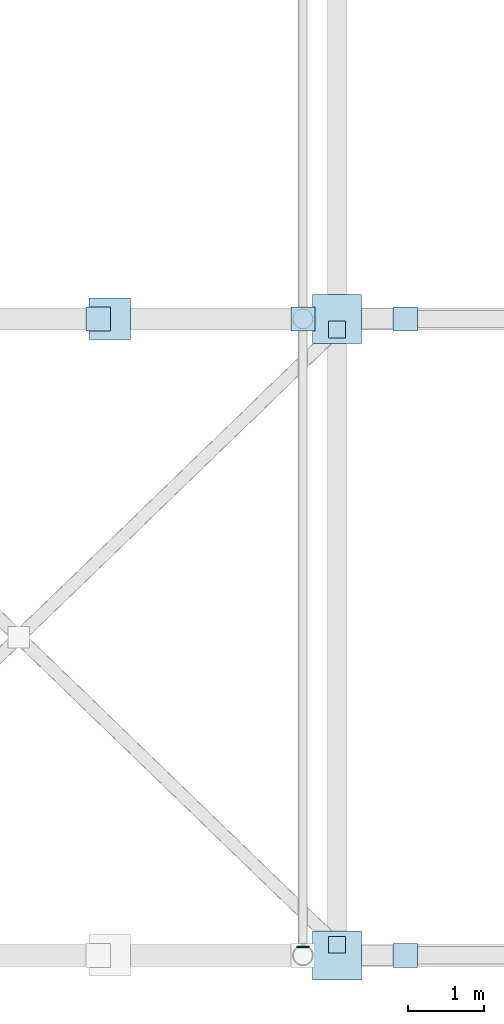
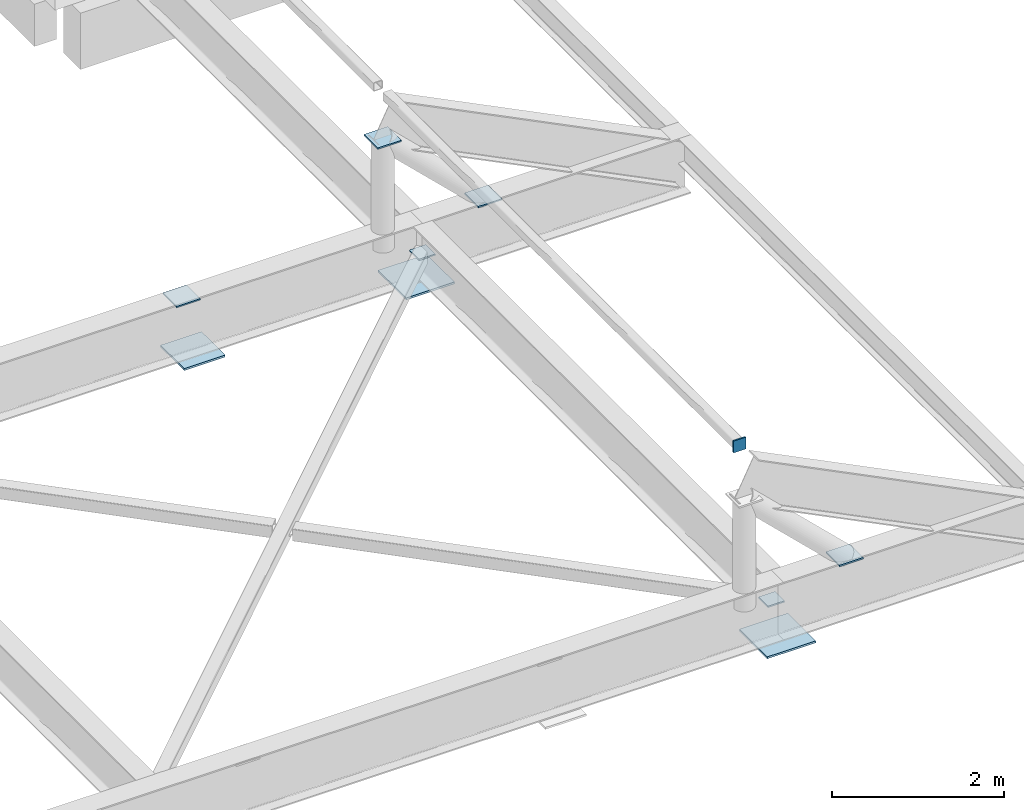
# One storey, part 30 of 41: 10 plates.
"""IFC4 building model written with IfcOpenShell, lengths in metres."""

from ifc_helpers import new_model, si_unit, direction, frame, origin, origin_2d, place, context, subcontext, project, spatial, rectangle, extrude, material, layer, layer_set, type_object, element, save


model = new_model("IFC4")

# Units and contexts
model_context = context("Model", 3, precision=1e-05, world=origin(), true_north=direction((0.0, 1.0)))
body_context = subcontext(model_context, "Body", "Model", "MODEL_VIEW")
ifc_project = project(units=[si_unit("LENGTHUNIT", "METRE"), si_unit("AREAUNIT", "SQUARE_METRE"), si_unit("VOLUMEUNIT", "CUBIC_METRE"), si_unit("PLANEANGLEUNIT", "RADIAN"), si_unit("MASSUNIT", "GRAM", prefix="KILO")], contexts=[model_context])

# Site, building, storey
site_placement = place(None, origin())
site = spatial("IfcSite", under=ifc_project, at=site_placement, CompositionType="ELEMENT")
building_placement = place(site_placement, origin())
building = spatial("IfcBuilding", under=site, at=building_placement, Name="Vireocrest Preparatory School", CompositionType="ELEMENT")
storey_placement = place(building_placement, frame((0.0, 0.0, 21.60009765625)))
storey = spatial("IfcBuildingStorey", under=building, at=storey_placement, Name="L05", CompositionType="ELEMENT", Elevation=21.60009765625)

# Plates
ifc_material = material(Name="Structural steel ASTM A572 Grade 50", Category="steel")
ifc_layer_1 = layer(ifc_material, 0.028076171875)
ifc_layer_set_1 = layer_set([ifc_layer_1], Name="Structural steel ASTM A572 Grade 50")
plate_type_1 = type_object("IfcPlateType", Name="Canopy Girder Upper Steel Node Plate 28", PredefinedType="SHEET", material=ifc_layer_set_1)
for number, where, z_axis, x_axis, name in (
    (1, (92.39990234375, 27.0, 0.9716796875), (0.0, 0.0, 1.0), (1.0, 0.0, 0.0), "Node VN2 Canopy Girder Bearing Plate E1-A2"),
    (2, (92.39990234375, 35.39990234375, 0.9716796875), (0.0, 0.0, 1.0), (1.0, 0.0, 0.0), "Node VN2 Canopy Girder Bearing Plate E2-A2"),
):
    element("IfcPlate", number, at=place(storey_placement, frame(where, z_axis=z_axis, x_axis=x_axis)), inside=storey, type_object=plate_type_1, Name=name, PredefinedType="SHEET", context=body_context, shape_type="SweptSolid", body=[
        extrude(rectangle(XDim=0.64990234375, YDim=0.64990234375, at=origin_2d()), origin(), (0.0, 0.0, 1.0), 0.028076171875),
    ])
plate_1_placement = place(storey_placement, frame((89.39990234375, 35.39990234375, 0.9716796875), z_axis=(0.0, 0.0, 1.0), x_axis=(1.0, 0.0, 0.0)))
element("IfcPlate", 3, at=plate_1_placement, inside=storey, type_object=plate_type_1, Name="Node VN2 Secondary Strut Bearing Plate E2", PredefinedType="SHEET", context=body_context, shape_type="SweptSolid", body=[
    extrude(rectangle(XDim=0.550048828125, YDim=0.550048828125, at=origin_2d()), origin(), (0.0, 0.0, 1.0), 0.028076171875),
])
ifc_layer_2 = layer(ifc_material, 0.02001953125)
ifc_layer_set_2 = layer_set([ifc_layer_2], Name="Structural steel ASTM A572 Grade 50")
plate_type_2 = type_object("IfcPlateType", Name="Hollow Section Steel End Cap Plate 20", PredefinedType="SHEET", material=ifc_layer_set_2)
for number, where, z_axis, x_axis, name in (
    (4, (93.300048828125, 27.0, 1.804931640625), (0.0, 0.0, 1.0), (1.0, 0.0, 0.0), "Canopy Web Cap CP1-1-7B"),
    (5, (89.25, 35.39990234375, 1.804931640625), (0.0, 0.0, 1.0), (1.0, 0.0, 0.0), "Canopy Web Cap CP1-2-6B"),
    (6, (93.300048828125, 35.39990234375, 1.804931640625), (0.0, 0.0, 1.0), (1.0, 0.0, 0.0), "Canopy Web Cap CP1-2-7B"),
    (7, (91.949951171875, 35.39990234375, 3.10791015625), (0.0, 0.0, 1.0), (1.0, 0.0, 0.0), "Canopy Web Cap CP1-2-7T"),
):
    element("IfcPlate", number, at=place(storey_placement, frame(where, z_axis=z_axis, x_axis=x_axis)), inside=storey, type_object=plate_type_2, Name=name, PredefinedType="SHEET", context=body_context, shape_type="SweptSolid", body=[
        extrude(rectangle(XDim=0.320068359375, YDim=0.320068359375, at=origin_2d()), origin(), (0.0, 0.0, 1.0), 0.02001953125),
    ])
plate_2_placement = place(storey_placement, frame((91.949951171875, 27.110107421875, 3.70849609375), z_axis=(0.0, 0.0, 1.0), x_axis=(1.0, 0.0, 0.0)))
element("IfcPlate", 8, at=plate_2_placement, inside=storey, type_object=plate_type_2, Name="Canopy Purlin Cap CP1-1-8", PredefinedType="SHEET", context=body_context, shape_type="SweptSolid", body=[
    extrude(rectangle(XDim=0.1669921875, YDim=0.02001953125, at=origin_2d()), origin(), (0.0, 0.0, 1.0), 0.1669921875),
])
for number, where, z_axis, x_axis, name in (
    (9, (92.39990234375, 35.260009765625, 1.407470703125), (0.0, 0.0, 1.0), (1.0, 0.0, 0.0), "Canopy Brace Cap CP1-1-EB"),
    (10, (92.39990234375, 27.139892578125, 1.407470703125), (0.0, 0.0, 1.0), (1.0, 0.0, 0.0), "Canopy Brace Cap CP1-1-ED"),
):
    element("IfcPlate", number, at=place(storey_placement, frame(where, z_axis=z_axis, x_axis=x_axis)), inside=storey, type_object=plate_type_2, Name=name, PredefinedType="SHEET", context=body_context, shape_type="SweptSolid", body=[
        extrude(rectangle(XDim=0.219970703125, YDim=0.219970703125, at=origin_2d()), origin(), (0.0, 0.0, 1.0), 0.02001953125),
    ])

save(model, "model.ifc")
